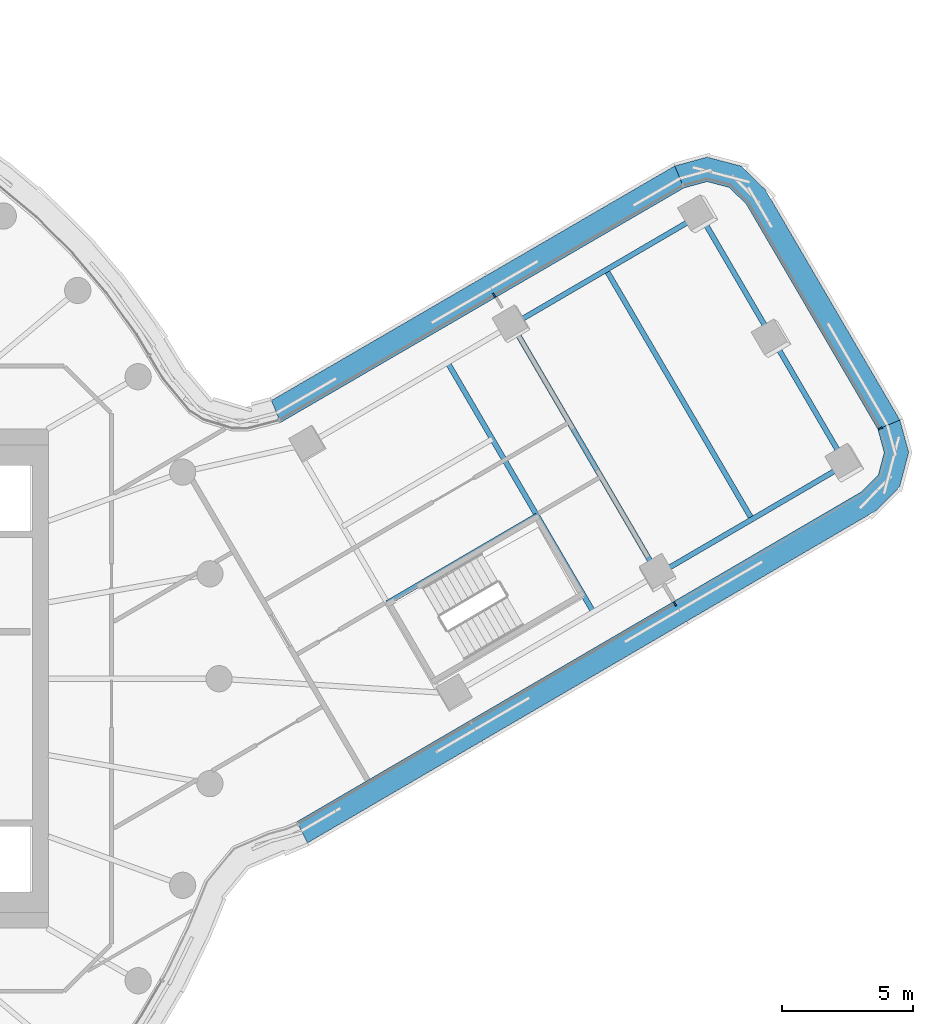
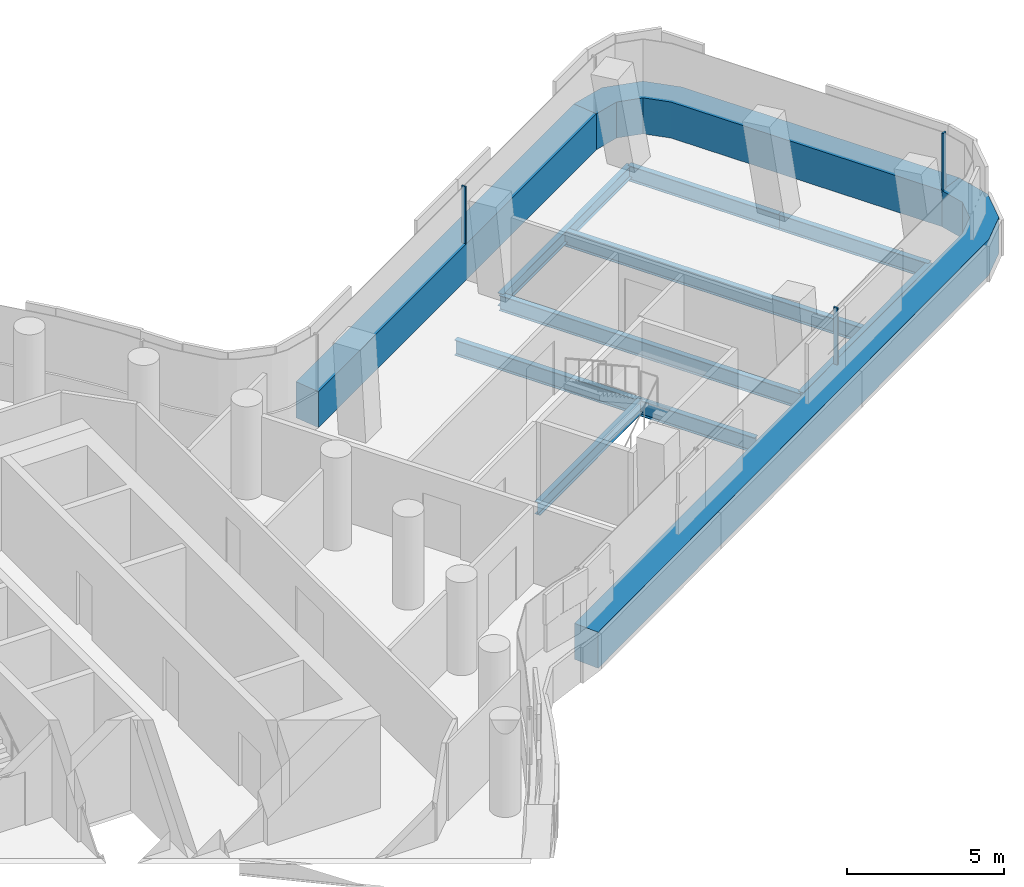
# One storey, part 13 of 35: 8 beams, 6 members, 3 elements without a shape of their own.
"""IFC4 building model written with IfcOpenShell, lengths in metres."""

from ifc_helpers import new_model, si_unit, direction, frame, origin, origin_2d, place, context, subcontext, project, spatial, polyline, rectangle, i_section, outline, extrude, material, layer, layer_set, material_profile, profile_set, type_object, element, aggregate, save


model = new_model("IFC4")

# Units and contexts
model_context = context("Model", 3, precision=1e-05, world=origin(), true_north=direction((0.0, 1.0)))
body_context = subcontext(model_context, "Body", "Model", "MODEL_VIEW")
ifc_project = project(units=[si_unit("LENGTHUNIT", "METRE"), si_unit("AREAUNIT", "SQUARE_METRE"), si_unit("VOLUMEUNIT", "CUBIC_METRE"), si_unit("PLANEANGLEUNIT", "RADIAN"), si_unit("MASSUNIT", "GRAM", prefix="KILO")], contexts=[model_context])

# Site, building, storey
site_placement = place(None, origin())
site = spatial("IfcSite", under=ifc_project, at=site_placement, CompositionType="ELEMENT")
building_placement = place(site_placement, origin())
building = spatial("IfcBuilding", under=site, at=building_placement, Name="Tamarind Cross Interchange Tower", CompositionType="ELEMENT")
storey_placement = place(building_placement, frame((0.0, 0.0, 144.25)))
storey = spatial("IfcBuildingStorey", under=building, at=storey_placement, Name="L35", CompositionType="ELEMENT", Elevation=144.25)

# Beams
ifc_material_1 = material(Name="Steel Q355B", Category="steel")
ifc_material_profile_1 = material_profile(ifc_material_1, i_section(OverallWidth=0.198974609375, OverallDepth=0.49609375, WebThickness=0.009033203125, FlangeThickness=0.013916015625, FilletRadius=0.012939453125, at=origin_2d()), Name="HN 496x199x9x14")
ifc_profile_set_1 = profile_set([ifc_material_profile_1], Name="Steel Q355B")
beam_type_1 = type_object("IfcBeamType", Name="Composite beam HN 496x199x9x14 Q355B", PredefinedType="BEAM", material=ifc_profile_set_1)
for number, where, z_axis, x_axis, name in (
    (1, (46.870849609375, 8.162841796875, -0.387939453125), (-0.863402759411, -0.504515287222, 0.0), (0.504515287222, -0.863402759411, 0.0), "Beam E-edgeem5"),
    (2, (41.3212890625, 17.66015625, -0.387939453125), (-0.863402759411, -0.504515287222, 0.0), (0.504515287222, -0.863402759411, 0.0), "Beam E-edgeep2"),
):
    element("IfcBeam", number, at=place(storey_placement, frame(where, z_axis=z_axis, x_axis=x_axis)), inside=storey, type_object=beam_type_1, Name=name, PredefinedType="BEAM", context=body_context, shape_type="SweptSolid", body=[
        extrude(i_section(OverallWidth=0.198974609375, OverallDepth=0.49609375, WebThickness=0.009033203125, FlangeThickness=0.013916015625, FilletRadius=0.012939453125, at=origin_2d()), origin(), (0.0, 0.0, 1.0), 8.291748046875),
    ])
beam_1_placement = place(storey_placement, frame((29.408447265625, 2.881103515625, -0.387939453125), z_axis=(0.863401659884, 0.504517168894, 0.0), x_axis=(-0.504517168894, 0.863401659884, 0.0)))
element("IfcBeam", 3, at=beam_1_placement, inside=storey, type_object=beam_type_1, Name="Beam E-tr1", PredefinedType="BEAM", context=body_context, shape_type="SweptSolid", body=[
    extrude(i_section(OverallWidth=0.198974609375, OverallDepth=0.49609375, WebThickness=0.009033203125, FlangeThickness=0.013916015625, FilletRadius=0.012939453125, at=origin_2d()), origin(), (0.0, 0.0, 1.0), 6.60009765625),
])
ifc_material_profile_2 = material_profile(ifc_material_1, i_section(OverallWidth=0.199951171875, OverallDepth=0.60009765625, WebThickness=0.010986328125, FlangeThickness=0.01708984375, FilletRadius=0.012939453125, at=origin_2d()), Name="HN 600x200x11x17")
ifc_profile_set_2 = profile_set([ifc_material_profile_2], Name="Steel Q355B")
beam_type_2 = type_object("IfcBeamType", Name="Composite beam HN 600x200x11x17 Q355B", PredefinedType="BEAM", material=ifc_profile_set_2)
for number, where, z_axis, x_axis, name in (
    (4, (46.870849609375, 8.162841796875, -0.43994140625), (-0.504538797609, 0.863389021072, 0.0), (-0.863389021072, -0.504538797609, 0.0), "Beam E-tip0"),
    (5, (44.095947265625, 12.911376953125, -0.43994140625), (-0.50448637032, 0.863419655881, 0.0), (-0.863419655881, -0.50448637032, 0.0), "Beam E-tip1"),
):
    element("IfcBeam", number, at=place(storey_placement, frame(where, z_axis=z_axis, x_axis=x_axis)), inside=storey, type_object=beam_type_2, Name=name, PredefinedType="BEAM", context=body_context, shape_type="SweptSolid", body=[
        extrude(i_section(OverallWidth=0.199951171875, OverallDepth=0.60009765625, WebThickness=0.010986328125, FlangeThickness=0.01708984375, FilletRadius=0.012939453125, at=origin_2d()), origin(), (0.0, 0.0, 1.0), 5.5),
    ])
beam_2_placement = place(storey_placement, frame((37.2509765625, 2.54150390625, -0.43994140625), z_axis=(-0.504502916074, 0.863409988171, 0.0), x_axis=(-0.863409988171, -0.504502916074, 0.0)))
element("IfcBeam", 6, at=beam_2_placement, inside=storey, type_object=beam_type_2, Name="Beam E-x364", PredefinedType="BEAM", context=body_context, shape_type="SweptSolid", body=[
    extrude(i_section(OverallWidth=0.199951171875, OverallDepth=0.60009765625, WebThickness=0.010986328125, FlangeThickness=0.01708984375, FilletRadius=0.012939453125, at=origin_2d()), origin(), (0.0, 0.0, 1.0), 11.0),
])
beam_3_placement = place(storey_placement, frame((39.711669921875, 3.9794921875, -0.43994140625), z_axis=(-0.504512583988, 0.863404338996, 0.0), x_axis=(-0.863404338996, -0.504512583988, 0.0)))
element("IfcBeam", 7, at=beam_3_placement, inside=storey, type_object=beam_type_2, Name="Beam E-x393", PredefinedType="BEAM", context=body_context, shape_type="SweptSolid", body=[
    extrude(i_section(OverallWidth=0.199951171875, OverallDepth=0.60009765625, WebThickness=0.010986328125, FlangeThickness=0.01708984375, FilletRadius=0.012939453125, at=origin_2d()), origin(), (0.0, 0.0, 1.0), 10.999755859375),
])
beam_4_placement = place(storey_placement, frame((43.291259765625, 6.071044921875, -0.43994140625), z_axis=(-0.504502916074, 0.863409988171, 0.0), x_axis=(-0.863409988171, -0.504502916074, 0.0)))
element("IfcBeam", 8, at=beam_4_placement, inside=storey, type_object=beam_type_2, Name="Beam E-x434", PredefinedType="BEAM", context=body_context, shape_type="SweptSolid", body=[
    extrude(i_section(OverallWidth=0.199951171875, OverallDepth=0.60009765625, WebThickness=0.010986328125, FlangeThickness=0.01708984375, FilletRadius=0.012939453125, at=origin_2d()), origin(), (0.0, 0.0, 1.0), 11.0),
])

# Curtain wall, member
ifc_material_2 = material(Name="Aluminium 6063-T6", Category="aluminium")
ifc_layer = layer(ifc_material_2, 0.159912109375)
ifc_layer_set = layer_set([ifc_layer], Name="Aluminium 6063-T6")
curtain_wall_type = type_object("IfcCurtainWallType", Name="Office curtain wall, 9.0 m bays", PredefinedType="NOTDEFINED", material=ifc_layer_set)
curtain_wall_1_placement = place(storey_placement, origin())
curtain_wall_1 = element("IfcCurtainWall", 9, at=curtain_wall_1_placement, inside=storey, type_object=curtain_wall_type, Name="CWS-L35-07", PredefinedType="NOTDEFINED")
ifc_material_3 = material(Name="Aluminium and insulated spandrel panel", Category="aluminium")
member_type_1 = type_object("IfcMemberType", Name="Floor-edge blade transom", PredefinedType="USERDEFINED", material=ifc_material_3)
member_1_placement = place(storey_placement, origin())
member_1 = element("IfcMember", 10, at=member_1_placement, type_object=member_type_1, Name="CWT-L35-07", ObjectType="TRANSOM", PredefinedType="USERDEFINED", context=body_context, shape_type="SweptSolid", body=[
    extrude(outline(polyline([(25.965576171875, -5.44287109375), (47.461669921875, 7.1181640625), (48.10546875, 7.768798828125), (48.327392578125, 8.614501953125), (48.0859375, 9.49755859375), (48.9228515625, 9.849365234375), (49.25927734375, 8.619384765625), (48.914794921875, 7.30712890625), (48.01806640625, 6.40087890625), (26.36865234375, -6.24951171875), (25.965576171875, -5.44287109375)])), origin(), (0.0, 0.0, 1.0), 1.39990234375),
])

curtain_wall_2_placement = place(storey_placement, origin())
curtain_wall_2 = element("IfcCurtainWall", 11, at=curtain_wall_2_placement, inside=storey, type_object=curtain_wall_type, Name="CWS-L35-08", PredefinedType="NOTDEFINED")
member_2_placement = place(storey_placement, origin())
member_2 = element("IfcMember", 12, at=member_2_placement, type_object=member_type_1, Name="CWT-L35-08", ObjectType="TRANSOM", PredefinedType="USERDEFINED", context=body_context, shape_type="SweptSolid", body=[
    extrude(outline(polyline([(48.0859375, 9.49755859375), (43.08056640625, 18.0634765625), (42.429931640625, 18.707275390625), (41.583984375, 18.92919921875), (40.70068359375, 18.6875), (40.349853515625, 19.524658203125), (41.5791015625, 19.86083984375), (42.8916015625, 19.5166015625), (43.7978515625, 18.619873046875), (48.9228515625, 9.849365234375), (48.0859375, 9.49755859375)])), origin(), (0.0, 0.0, 1.0), 1.39990234375),
])

curtain_wall_3_placement = place(storey_placement, origin())
curtain_wall_3 = element("IfcCurtainWall", 13, at=curtain_wall_3_placement, inside=storey, type_object=curtain_wall_type, Name="CWS-L35-09", PredefinedType="NOTDEFINED")
member_3_placement = place(storey_placement, origin())
member_3 = element("IfcMember", 14, at=member_3_placement, type_object=member_type_1, Name="CWT-L35-09", ObjectType="TRANSOM", PredefinedType="USERDEFINED", context=body_context, shape_type="SweptSolid", body=[
    extrude(outline(polyline([(40.70068359375, 18.6875), (25.33837890625, 9.75390625), (24.992431640625, 10.59375), (40.349853515625, 19.524658203125), (40.70068359375, 18.6875)])), origin(), (0.0, 0.0, 1.0), 1.39990234375),
])

# Member
ifc_material_profile_3 = material_profile(ifc_material_2, rectangle(XDim=0.06005859375, YDim=0.159912109375, at=origin_2d()), Name="Mullion CW1")
ifc_profile_set_3 = profile_set([ifc_material_profile_3], Name="Aluminium 6063-T6")
member_type_2 = type_object("IfcMemberType", Name="Mullion CW1", PredefinedType="MULLION", material=ifc_profile_set_3)
member_4_placement = place(storey_placement, frame((40.356201171875, 2.850341796875, 1.39990234375), z_axis=(0.0, 0.0, 1.0), x_axis=(0.863402595057, 0.50451556849, 0.0)))
member_4 = element("IfcMember", 15, at=member_4_placement, type_object=member_type_2, Name="CWM-L35-07-02", PredefinedType="MULLION", context=body_context, shape_type="SweptSolid", body=[
    extrude(rectangle(XDim=0.06005859375, YDim=0.159912109375, at=origin_2d()), origin(), (0.0, 0.0, 1.0), 2.210205078125),
])

aggregate(curtain_wall_1, [member_4, member_1])

member_5_placement = place(storey_placement, frame((48.178955078125, 9.53662109375, 1.39990234375), z_axis=(0.0, 0.0, 1.0), x_axis=(-0.387502714777, 0.921868562237, 0.0)))
member_5 = element("IfcMember", 16, at=member_5_placement, type_object=member_type_2, Name="CWM-L35-08-00", PredefinedType="MULLION", context=body_context, shape_type="SweptSolid", body=[
    extrude(rectangle(XDim=0.06005859375, YDim=0.159912109375, at=origin_2d()), origin(), (0.0, 0.0, 1.0), 2.210205078125),
])

aggregate(curtain_wall_2, [member_5, member_2])

member_6_placement = place(storey_placement, frame((33.473876953125, 14.6005859375, 1.39990234375), z_axis=(0.0, 0.0, 1.0), x_axis=(-0.864456031525, -0.502708433946, 0.0)))
member_6 = element("IfcMember", 17, at=member_6_placement, type_object=member_type_2, Name="CWM-L35-09-01", PredefinedType="MULLION", context=body_context, shape_type="SweptSolid", body=[
    extrude(rectangle(XDim=0.06005859375, YDim=0.159912109375, at=origin_2d()), origin(), (0.0, 0.0, 1.0), 2.210205078125),
])

aggregate(curtain_wall_3, [member_6, member_3])

save(model, "model.ifc")
